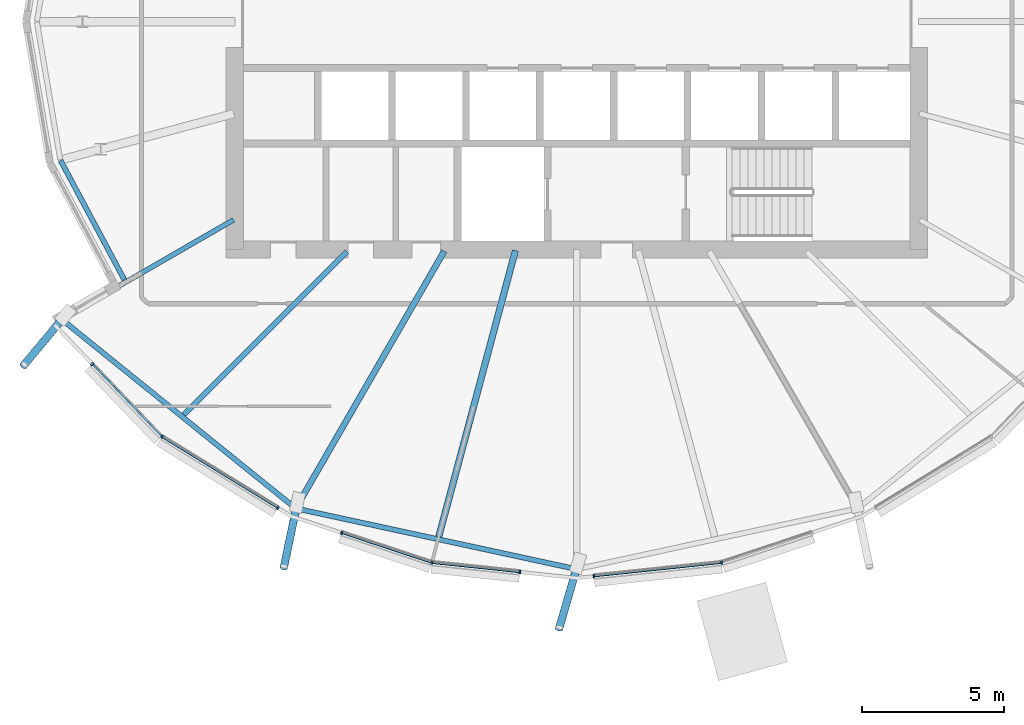
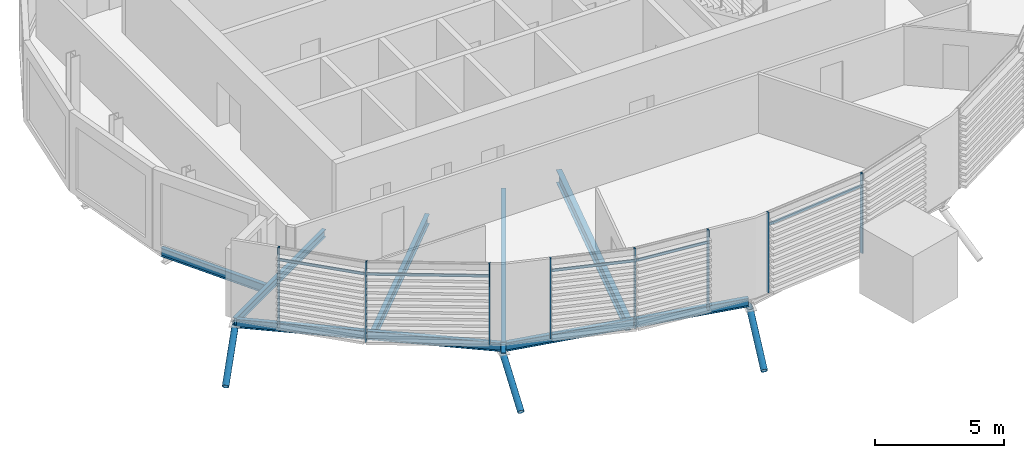
# One storey, part 3 of 38: 16 members, 7 beams, 1 element without a shape of its own.
"""IFC4 building model written with IfcOpenShell, lengths in metres."""

from ifc_helpers import new_model, si_unit, direction, frame, origin, origin_2d, place, context, subcontext, project, spatial, rectangle, hollow_circle, i_section, extrude, clip, halfspace, material, material_profile, profile_set, type_object, element, aggregate, save


model = new_model("IFC4")

# Units and contexts
model_context = context("Model", 3, precision=1e-05, world=origin(), true_north=direction((0.0, 1.0)))
body_context = subcontext(model_context, "Body", "Model", "MODEL_VIEW")
ifc_project = project(units=[si_unit("LENGTHUNIT", "METRE"), si_unit("AREAUNIT", "SQUARE_METRE"), si_unit("VOLUMEUNIT", "CUBIC_METRE"), si_unit("PLANEANGLEUNIT", "RADIAN"), si_unit("MASSUNIT", "GRAM", prefix="KILO")], contexts=[model_context])

# Site, building, storey
site_placement = place(None, origin())
site = spatial("IfcSite", under=ifc_project, at=site_placement, CompositionType="ELEMENT")
building_placement = place(site_placement, origin())
building = spatial("IfcBuilding", under=site, at=building_placement, Name="Rimbun Link Towers", CompositionType="ELEMENT")
storey_placement = place(building_placement, frame((0.0, 0.0, 185.5)))
storey = spatial("IfcBuildingStorey", under=building, at=storey_placement, Name="L45", CompositionType="ELEMENT", Elevation=185.5)

# Curtain wall, members
ifc_material_1 = material(Name="Aluminium 6063-T6 and low-iron glass", Category="aluminium")
curtain_wall_type = type_object("IfcCurtainWallType", Name="CW1-Z3 unitised vision wall (zone 3)", PredefinedType="NOTDEFINED", material=ifc_material_1)
curtain_wall_placement = place(storey_placement, origin())
curtain_wall = element("IfcCurtainWall", 1, at=curtain_wall_placement, inside=storey, type_object=curtain_wall_type, Name="CW1 L45 T1", PredefinedType="NOTDEFINED")
ifc_material_2 = material(Name="Aluminium 6063-T6", Category="aluminium")
ifc_material_profile_1 = material_profile(ifc_material_2, rectangle(XDim=0.1201171875, YDim=0.06005859375, at=origin_2d()), Name="MULLION 60X120")
ifc_profile_set_1 = profile_set([ifc_material_profile_1], Name="Aluminium 6063-T6")
member_type_1 = type_object("IfcMemberType", Name="CW1 mullion 60X120", PredefinedType="MULLION", material=ifc_profile_set_1)
member_1_placement = place(storey_placement, frame((-46.307373046875, -14.56640625, 0.0), z_axis=(0.0, 0.0, 1.0), x_axis=(-0.627666301152, -0.778482507445, 0.0)))
member_1 = element("IfcMember", 2, at=member_1_placement, type_object=member_type_1, Name="CW1 mullion", PredefinedType="MULLION", context=body_context, shape_type="SweptSolid", body=[
    extrude(rectangle(XDim=0.1201171875, YDim=0.06005859375, at=origin_2d()), origin(), (0.0, 0.0, 1.0), 3.800048828125),
])
member_2_placement = place(storey_placement, frame((-48.750732421875, -12.018798828125, 0.0), z_axis=(0.0, 0.0, 1.0), x_axis=(-0.721842893583, -0.692056960795, 0.0)))
member_2 = element("IfcMember", 3, at=member_2_placement, type_object=member_type_1, Name="CW1 mullion", PredefinedType="MULLION", context=body_context, shape_type="SweptSolid", body=[
    extrude(rectangle(XDim=0.1201171875, YDim=0.06005859375, at=origin_2d()), origin(), (0.0, 0.0, 1.0), 3.800048828125),
])
member_3_placement = place(storey_placement, frame((-42.2392578125, -17.06494140625, 0.0), z_axis=(0.0, 0.0, 1.0), x_axis=(-0.523234516531, -0.852188735381, 0.0)))
member_3 = element("IfcMember", 4, at=member_3_placement, type_object=member_type_1, Name="CW1 mullion", PredefinedType="MULLION", context=body_context, shape_type="SweptSolid", body=[
    extrude(rectangle(XDim=0.1201171875, YDim=0.06005859375, at=origin_2d()), origin(), (0.0, 0.0, 1.0), 3.800048828125),
])
member_4_placement = place(storey_placement, frame((-36.835205078125, -18.989501953125, 0.0), z_axis=(0.0, 0.0, 1.0), x_axis=(-0.210876961602, -0.977512612228, 0.0)))
member_4 = element("IfcMember", 5, at=member_4_placement, type_object=member_type_1, Name="CW1 mullion", PredefinedType="MULLION", context=body_context, shape_type="SweptSolid", body=[
    extrude(rectangle(XDim=0.1201171875, YDim=0.06005859375, at=origin_2d()), origin(), (0.0, 0.0, 1.0), 3.800048828125),
])
member_5_placement = place(storey_placement, frame((-40.001953125, -17.9404296875, 0.0), z_axis=(0.0, 0.0, 1.0), x_axis=(-0.314564968894, -0.949235945561, 0.0)))
member_5 = element("IfcMember", 6, at=member_5_placement, type_object=member_type_1, Name="CW1 mullion", PredefinedType="MULLION", context=body_context, shape_type="SweptSolid", body=[
    extrude(rectangle(XDim=0.1201171875, YDim=0.06005859375, at=origin_2d()), origin(), (0.0, 0.0, 1.0), 3.800048828125),
])
member_6_placement = place(storey_placement, frame((-33.745361328125, -19.3154296875, 0.0), z_axis=(0.0, 0.0, 1.0), x_axis=(-0.104753162451, -0.994498252868, 0.0)))
member_6 = element("IfcMember", 7, at=member_6_placement, type_object=member_type_1, Name="CW1 mullion", PredefinedType="MULLION", context=body_context, shape_type="SweptSolid", body=[
    extrude(rectangle(XDim=0.1201171875, YDim=0.06005859375, at=origin_2d()), origin(), (0.0, 0.0, 1.0), 3.800048828125),
])
member_7_placement = place(storey_placement, frame((-26.664794921875, -18.989501953125, 0.0), z_axis=(0.0, 0.0, 1.0), x_axis=(0.210876961602, -0.977512612228, 0.0)))
member_7 = element("IfcMember", 8, at=member_7_placement, type_object=member_type_1, Name="CW1 mullion", PredefinedType="MULLION", context=body_context, shape_type="SweptSolid", body=[
    extrude(rectangle(XDim=0.1201171875, YDim=0.06005859375, at=origin_2d()), origin(), (0.0, 0.0, 1.0), 3.800048828125),
])
member_8_placement = place(storey_placement, frame((-31.14697265625, -19.4619140625, 0.0), z_axis=(0.0, 0.0, 1.0), x_axis=(0.104753162451, -0.994498252868, 0.0)))
member_8 = element("IfcMember", 9, at=member_8_placement, type_object=member_type_1, Name="CW1 mullion", PredefinedType="MULLION", context=body_context, shape_type="SweptSolid", body=[
    extrude(rectangle(XDim=0.1201171875, YDim=0.06005859375, at=origin_2d()), origin(), (0.0, 0.0, 1.0), 3.800048828125),
])
ifc_material_3 = material(Name="Aluminium 6063-T6", Category="aluminium")
ifc_material_profile_2 = material_profile(ifc_material_3, rectangle(XDim=0.06005859375, YDim=0.1201171875, at=origin_2d()), Name="TRANSOM 60X120")
ifc_profile_set_2 = profile_set([ifc_material_profile_2], Name="Aluminium 6063-T6")
member_type_2 = type_object("IfcMemberType", Name="CW1 transom 60X120", PredefinedType="USERDEFINED", material=ifc_profile_set_2)
member_9_placement = place(storey_placement, frame((-46.33251953125, -14.538330078125, 3.199951171875), z_axis=(-0.692035533776, 0.721863435833, 0.0), x_axis=(-0.721863435833, -0.692035533776, 0.0)))
member_9 = element("IfcMember", 10, at=member_9_placement, type_object=member_type_2, Name="CW1 transom", ObjectType="TRANSOM", PredefinedType="USERDEFINED", context=body_context, shape_type="SweptSolid", body=[
    extrude(rectangle(XDim=0.06005859375, YDim=0.1201171875, at=origin_2d()), origin(), (0.0, 0.0, 1.0), 3.462158203125),
])
member_10_placement = place(storey_placement, frame((-42.263671875, -17.047607421875, 3.199951171875), z_axis=(-0.852193949053, 0.523226024962, 0.0), x_axis=(-0.523226024962, -0.852193949053, 0.0)))
member_10 = element("IfcMember", 11, at=member_10_placement, type_object=member_type_2, Name="CW1 transom", ObjectType="TRANSOM", PredefinedType="USERDEFINED", context=body_context, shape_type="SweptSolid", body=[
    extrude(rectangle(XDim=0.06005859375, YDim=0.1201171875, at=origin_2d()), origin(), (0.0, 0.0, 1.0), 4.70654296875),
])
member_11_placement = place(storey_placement, frame((-36.869140625, -18.9765625, 3.199951171875), z_axis=(-0.949234381541, 0.314569688463, 0.0), x_axis=(-0.314569688463, -0.949234381541, 0.0)))
member_11 = element("IfcMember", 12, at=member_11_placement, type_object=member_type_2, Name="CW1 transom", ObjectType="TRANSOM", PredefinedType="USERDEFINED", context=body_context, shape_type="SweptSolid", body=[
    extrude(rectangle(XDim=0.06005859375, YDim=0.1201171875, at=origin_2d()), origin(), (0.0, 0.0, 1.0), 3.269775390625),
])
member_12_placement = place(storey_placement, frame((-33.77490234375, -19.310302734375, 3.199951171875), z_axis=(-0.994495329298, 0.104780914317, 0.0), x_axis=(-0.104780914317, -0.994495329298, 0.0)))
member_12 = element("IfcMember", 13, at=member_12_placement, type_object=member_type_2, Name="CW1 transom", ObjectType="TRANSOM", PredefinedType="USERDEFINED", context=body_context, shape_type="SweptSolid", body=[
    extrude(rectangle(XDim=0.06005859375, YDim=0.1201171875, at=origin_2d()), origin(), (0.0, 0.0, 1.0), 3.040771484375),
])
member_13_placement = place(storey_placement, frame((-26.701171875, -18.99169921875, 3.199951171875), z_axis=(-0.994500330476, -0.104733436318, 0.0), x_axis=(0.104733436318, -0.994500330476, 0.0)))
member_13 = element("IfcMember", 14, at=member_13_placement, type_object=member_type_2, Name="CW1 transom", ObjectType="TRANSOM", PredefinedType="USERDEFINED", context=body_context, shape_type="SweptSolid", body=[
    extrude(rectangle(XDim=0.06005859375, YDim=0.1201171875, at=origin_2d()), origin(), (0.0, 0.0, 1.0), 4.440673828125),
])
aggregate(curtain_wall, [member_1, member_2, member_3, member_4, member_5, member_6, member_7, member_8, member_9, member_10, member_11, member_12, member_13])

# Members
ifc_material_4 = material(Name="Steel S355J2H", Category="steel")
ifc_material_profile_3 = material_profile(ifc_material_4, hollow_circle(Radius=0.136474609375, WallThickness=0.012451171875, at=origin_2d()), Name="CHS 273x12.5")
ifc_profile_set_3 = profile_set([ifc_material_profile_3], Name="Steel S355J2H")
member_type_3 = type_object("IfcMemberType", Name="Floor edge link CHS 273x12.5", PredefinedType="BRACE", material=ifc_profile_set_3)
member_14_placement = place(storey_placement, frame((-49.790771484375, -10.416015625, -0.62109375), z_axis=(-0.545455804483, -0.656165700147, -0.52146384276), x_axis=(0.768998208162, -0.639250933393, 0.0)))
element("IfcMember", 15, at=member_14_placement, inside=storey, type_object=member_type_3, Name="Floor edge link T1 L45 14", PredefinedType="BRACE", context=body_context, shape_type="Clipping", body=[
    clip(extrude(hollow_circle(Radius=0.136474609375, WallThickness=0.012451171875, at=origin_2d()), frame((0.0, 0.0, -0.4658203125)), (0.0, 0.0, 1.0), 2.999755859375), halfspace(frame((0.0, 0.0, -0.21875), z_axis=(0.0, 0.853273379811, -0.52146384276)), False)),
])
member_15_placement = place(storey_placement, frame((-41.58642578125, -17.037109375, -0.80126953125), z_axis=(-0.17797622963, -0.850504151013, -0.494941563012), x_axis=(0.978798993627, -0.204823167816, 0.0)))
element("IfcMember", 16, at=member_15_placement, inside=storey, type_object=member_type_3, Name="Floor edge link T1 L45 16", PredefinedType="BRACE", context=body_context, shape_type="Clipping", body=[
    clip(extrude(hollow_circle(Radius=0.136474609375, WallThickness=0.012451171875, at=origin_2d()), frame((0.0, 0.0, -0.49951171875)), (0.0, 0.0, 1.0), 3.00439453125), halfspace(frame((0.0, 0.0, -0.234619140625), z_axis=(0.0, 0.868926262236, -0.494941563012)), False)),
])
member_16_placement = place(storey_placement, frame((-31.75, -19.163818359375, -0.8701171875), z_axis=(-0.241203194368, -0.829459988449, -0.503802686166), x_axis=(0.96022455755, -0.279228936678, 0.0)))
element("IfcMember", 17, at=member_16_placement, inside=storey, type_object=member_type_3, Name="Floor edge link T1 L45 18", PredefinedType="BRACE", context=body_context, shape_type="Clipping", body=[
    clip(extrude(hollow_circle(Radius=0.136474609375, WallThickness=0.012451171875, at=origin_2d()), frame((0.0, 0.0, -0.488037109375)), (0.0, 0.0, 1.0), 3.078125), halfspace(frame((0.0, 0.0, -0.229248046875), z_axis=(0.0, 0.863818761901, -0.503802686166)), False)),
])

# Beams
ifc_material_5 = material(Name="Steel S355J2", Category="steel")
ifc_material_profile_4 = material_profile(ifc_material_5, i_section(OverallWidth=0.17138671875, OverallDepth=0.35498046875, WebThickness=0.00732421875, FlangeThickness=0.011474609375, at=origin_2d()), Name="UB 356x171x51")
ifc_profile_set_4 = profile_set([ifc_material_profile_4], Name="Steel S355J2")
beam_type_1 = type_object("IfcBeamType", Name="UB 356x171x51", PredefinedType="BEAM", material=ifc_profile_set_4)
beam_1_placement = place(storey_placement, frame((-43.793701171875, -6.95361328125, -0.327392578125), z_axis=(-0.866028783947, -0.499994145342, 0.0), x_axis=(0.499994145342, -0.866028783947, 0.0)))
element("IfcBeam", 18, at=beam_1_placement, inside=storey, type_object=beam_type_1, Name="Radial beam T1 L45 14", PredefinedType="BEAM", context=body_context, shape_type="SweptSolid", body=[
    extrude(i_section(OverallWidth=0.17138671875, OverallDepth=0.35498046875, WebThickness=0.00732421875, FlangeThickness=0.011474609375, at=origin_2d()), origin(), (0.0, 0.0, 1.0), 6.974609375),
])
ifc_material_6 = material(Name="Steel S355J2", Category="steel")
ifc_material_profile_5 = material_profile(ifc_material_6, i_section(OverallWidth=0.177978515625, OverallDepth=0.406494140625, WebThickness=0.0078125, FlangeThickness=0.0126953125, at=origin_2d()), Name="UB 406x178x60")
ifc_profile_set_5 = profile_set([ifc_material_profile_5], Name="Steel S355J2")
beam_type_2 = type_object("IfcBeamType", Name="UB 406x178x60", PredefinedType="BEAM", material=ifc_profile_set_5)
beam_2_placement = place(storey_placement, frame((-49.864501953125, -4.869384765625, -0.353271484375), z_axis=(0.471414466276, -0.881911787531, 0.0), x_axis=(0.881911787531, 0.471414466276, 0.0)))
element("IfcBeam", 19, at=beam_2_placement, inside=storey, type_object=beam_type_2, Name="Edge beam T1 L45 13 recess", PredefinedType="BEAM", context=body_context, shape_type="SweptSolid", body=[
    extrude(i_section(OverallWidth=0.177978515625, OverallDepth=0.406494140625, WebThickness=0.0078125, FlangeThickness=0.0126953125, at=origin_2d()), origin(), (0.0, 0.0, 1.0), 4.753173828125),
])
beam_3_placement = place(storey_placement, frame((-49.76171875, -10.499267578125, -0.353271484375), z_axis=(0.778016870357, -0.62824338392, 0.0), x_axis=(0.62824338392, 0.778016870357, 0.0)))
element("IfcBeam", 20, at=beam_3_placement, inside=storey, type_object=beam_type_2, Name="Edge beam T1 L45 14-16", PredefinedType="BEAM", context=body_context, shape_type="SweptSolid", body=[
    extrude(i_section(OverallWidth=0.177978515625, OverallDepth=0.406494140625, WebThickness=0.0078125, FlangeThickness=0.0126953125, at=origin_2d()), origin(), (0.0, 0.0, 1.0), 10.368896484375),
])
beam_4_placement = place(storey_placement, frame((-41.5029296875, -17.10400390625, -0.353271484375), z_axis=(0.977392598687, -0.211432514129, 0.0), x_axis=(0.211432514129, 0.977392598687, 0.0)))
element("IfcBeam", 21, at=beam_4_placement, inside=storey, type_object=beam_type_2, Name="Edge beam T1 L45 16-18", PredefinedType="BEAM", context=body_context, shape_type="SweptSolid", body=[
    extrude(i_section(OverallWidth=0.177978515625, OverallDepth=0.406494140625, WebThickness=0.0078125, FlangeThickness=0.0126953125, at=origin_2d()), origin(), (0.0, 0.0, 1.0), 9.861083984375),
])
ifc_material_7 = material(Name="Steel S355J2", Category="steel")
ifc_material_profile_6 = material_profile(ifc_material_7, i_section(OverallWidth=0.18994140625, OverallDepth=0.453369140625, WebThickness=0.008544921875, FlangeThickness=0.0126953125, at=origin_2d()), Name="UB 457x191x67")
ifc_profile_set_6 = profile_set([ifc_material_profile_6], Name="Steel S355J2")
beam_type_3 = type_object("IfcBeamType", Name="UB 457x191x67", PredefinedType="BEAM", material=ifc_profile_set_6)
beam_5_placement = place(storey_placement, frame((-39.81787109375, -8.06787109375, -0.376708984375), z_axis=(-0.707106781187, -0.707106781187, 0.0), x_axis=(0.707106781187, -0.707106781187, 0.0)))
element("IfcBeam", 22, at=beam_5_placement, inside=storey, type_object=beam_type_3, Name="Radial beam T1 L45 15", PredefinedType="BEAM", context=body_context, shape_type="SweptSolid", body=[
    extrude(i_section(OverallWidth=0.18994140625, OverallDepth=0.453369140625, WebThickness=0.008544921875, FlangeThickness=0.0126953125, at=origin_2d()), origin(), (0.0, 0.0, 1.0), 8.094482421875),
])
ifc_material_8 = material(Name="Steel S355J2", Category="steel")
ifc_material_profile_7 = material_profile(ifc_material_8, i_section(OverallWidth=0.209228515625, OverallDepth=0.533203125, WebThickness=0.010009765625, FlangeThickness=0.015625, at=origin_2d()), Name="UB 533x210x92")
ifc_profile_set_7 = profile_set([ifc_material_profile_7], Name="Steel S355J2")
beam_type_4 = type_object("IfcBeamType", Name="UB 533x210x92", PredefinedType="BEAM", material=ifc_profile_set_7)
beam_6_placement = place(storey_placement, frame((-36.3994140625, -8.05322265625, -0.41650390625), z_axis=(-0.499998180979, -0.866026453994, 0.0), x_axis=(0.866026453994, -0.499998180979, 0.0)))
element("IfcBeam", 23, at=beam_6_placement, inside=storey, type_object=beam_type_4, Name="Radial beam T1 L45 16", PredefinedType="BEAM", context=body_context, shape_type="SweptSolid", body=[
    extrude(i_section(OverallWidth=0.209228515625, OverallDepth=0.533203125, WebThickness=0.010009765625, FlangeThickness=0.015625, at=origin_2d()), origin(), (0.0, 0.0, 1.0), 10.423828125),
])
ifc_material_9 = material(Name="Steel S355J2", Category="steel")
ifc_material_profile_8 = material_profile(ifc_material_9, i_section(OverallWidth=0.2275390625, OverallDepth=0.6025390625, WebThickness=0.010498046875, FlangeThickness=0.014892578125, at=origin_2d()), Name="UB 610x229x101")
ifc_profile_set_8 = profile_set([ifc_material_profile_8], Name="Steel S355J2")
beam_type_5 = type_object("IfcBeamType", Name="UB 610x229x101", PredefinedType="BEAM", material=ifc_profile_set_8)
beam_7_placement = place(storey_placement, frame((-33.901611328125, -8.030517578125, -0.451416015625), z_axis=(-0.258837406585, -0.965920906158, 0.0), x_axis=(0.965920906158, -0.258837406585, 0.0)))
element("IfcBeam", 24, at=beam_7_placement, inside=storey, type_object=beam_type_5, Name="Radial beam T1 L45 17", PredefinedType="BEAM", context=body_context, shape_type="SweptSolid", body=[
    extrude(i_section(OverallWidth=0.2275390625, OverallDepth=0.6025390625, WebThickness=0.010498046875, FlangeThickness=0.014892578125, at=origin_2d()), origin(), (0.0, 0.0, 1.0), 10.39794921875),
])

save(model, "model.ifc")
